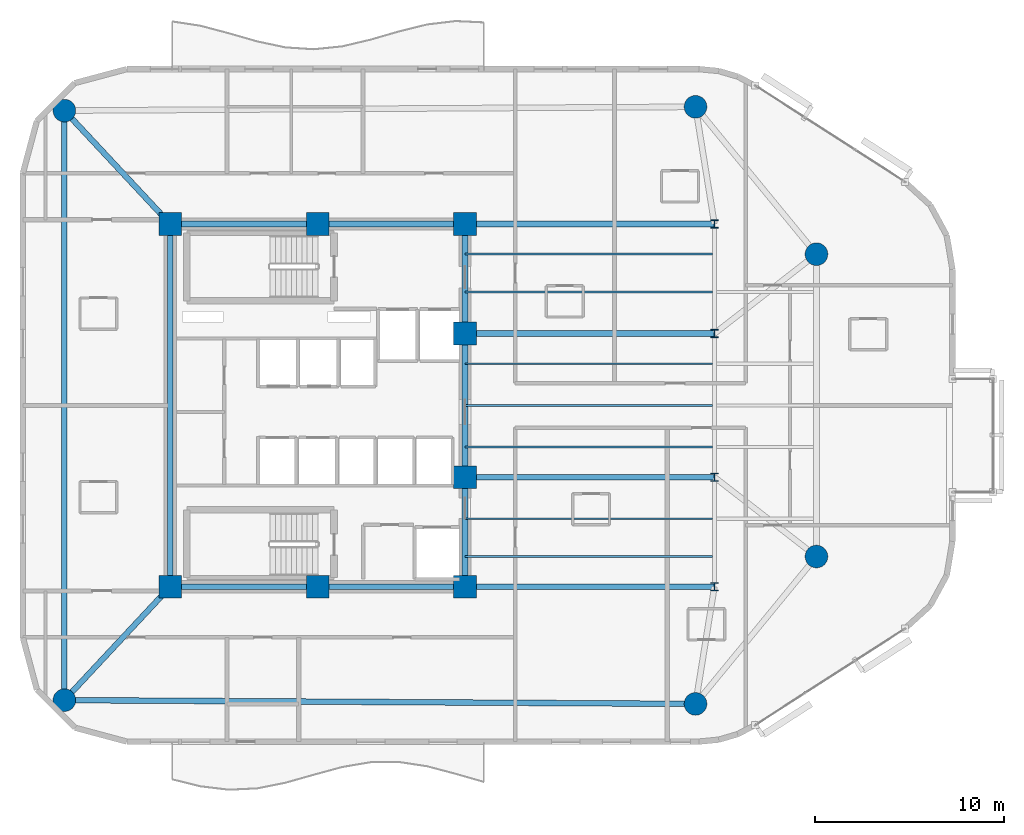
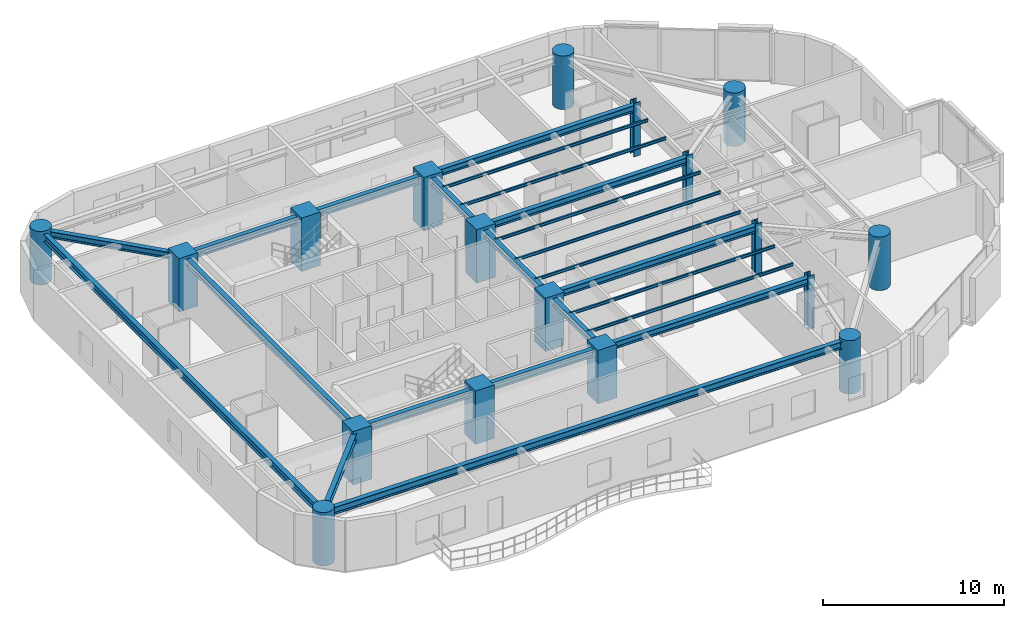
# One storey, part 1 of 16: 21 beams, 18 columns.
"""IFC4 building model written with IfcOpenShell, lengths in metres."""

import ifcopenshell
import ifcopenshell.guid

model = None  # the IFC model being written
_history = None  # IfcOwnerHistory: only IFC2X3 demands one
_inside = {}  # id of a spatial element -> (the spatial element, [elements in it])
_under = {}  # id of a project, library or spatial element -> (it, [spatial elements below it])
_declared = {}  # id of a project -> (the project, [libraries it declares])
_typed = {}  # id of a type object -> (the type object, [elements of that type])
_made_of = {}  # id of a material, layer set ... -> (it, [elements and type objects made of it])


def new_model(schema):
    """Start an empty IFC model of exactly this schema.

    Asked for "IFC4X3", IfcOpenShell would pick the latest addendum, in which some entities
    have other attributes; the version numbers below select the first issue.
    IFC2X3 requires an IfcOwnerHistory on every rooted entity: one is made here for all.
    """
    global model, _history
    if schema == "IFC4X3":
        model = ifcopenshell.file(schema_version=(4, 3, 0, 0))
    else:
        model = ifcopenshell.file(schema=schema)
    _inside.clear()
    _under.clear()
    _declared.clear()
    _typed.clear()
    _made_of.clear()
    _history = None
    if model.schema == "IFC2X3":
        org = make("IfcOrganization", Name="unknown")
        user = make(
            "IfcPersonAndOrganization",
            ThePerson=make("IfcPerson", FamilyName="unknown"),
            TheOrganization=org,
        )
        app = make(
            "IfcApplication",
            ApplicationDeveloper=org,
            Version="unknown",
            ApplicationFullName="unknown",
            ApplicationIdentifier="unknown",
        )
        _history = make(
            "IfcOwnerHistory",
            OwningUser=user,
            OwningApplication=app,
            ChangeAction="ADDED",
            CreationDate=0,
        )
    return model


def make(cls, **values):
    """One entity of the class cls with the attributes given. An attribute that is None is left unset."""
    return model.create_entity(
        cls, **{name: value for name, value in values.items() if value is not None}
    )


def rooted(cls, **values):
    """An entity with a GlobalId (a new one), such as an element, a storey or a relation."""
    return make(cls, GlobalId=ifcopenshell.guid.new(), OwnerHistory=_history, **values)


def si_unit(unit_type, name, prefix=None):
    """IfcSIUnit, for example si_unit("LENGTHUNIT", "METRE", prefix="MILLI")."""
    return make("IfcSIUnit", UnitType=unit_type, Prefix=prefix, Name=name)


def assignment(units):
    """IfcUnitAssignment: the units of a project."""
    return None if units is None else make("IfcUnitAssignment", Units=units)


def point(xyz):
    """IfcCartesianPoint."""
    return None if xyz is None else make("IfcCartesianPoint", Coordinates=xyz)


def direction(xyz):
    """IfcDirection."""
    return None if xyz is None else make("IfcDirection", DirectionRatios=xyz)


def frame(location, z_axis=None, x_axis=None):
    """IfcAxis2Placement3D, a coordinate frame: its origin and axes. An axis left out is left unset."""
    return make(
        "IfcAxis2Placement3D",
        Location=point(location),
        Axis=direction(z_axis),
        RefDirection=direction(x_axis),
    )


def frame_2d(location, x_axis=None):
    """IfcAxis2Placement2D, a coordinate frame in the plane: its origin and x axis."""
    return make(
        "IfcAxis2Placement2D", Location=point(location), RefDirection=direction(x_axis)
    )


def origin():
    """The frame at (0, 0, 0) with its axes left unset."""
    return frame((0.0, 0.0, 0.0))


def origin_2d():
    """The frame at (0, 0) in the plane with its x axis left unset."""
    return frame_2d((0.0, 0.0))


def place(relative_to, where):
    """IfcLocalPlacement: puts the frame where relative to a parent placement (None: the world)."""
    return make(
        "IfcLocalPlacement", PlacementRelTo=relative_to, RelativePlacement=where
    )


def context(
    kind, dimensions, precision=None, world=None, true_north=None, identifier=None
):
    """IfcGeometricRepresentationContext, for example the 3D "Model" context."""
    return make(
        "IfcGeometricRepresentationContext",
        ContextIdentifier=identifier,
        ContextType=kind,
        CoordinateSpaceDimension=dimensions,
        Precision=precision,
        WorldCoordinateSystem=world,
        TrueNorth=true_north,
    )


def subcontext(parent, identifier, kind, view, scale=None):
    """IfcGeometricRepresentationSubContext, for example "Body" below "Model"."""
    return make(
        "IfcGeometricRepresentationSubContext",
        ContextIdentifier=identifier,
        ContextType=kind,
        ParentContext=parent,
        TargetScale=scale,
        TargetView=view,
    )


def project(units=None, contexts=None):
    """IfcProject with its units and contexts."""
    return rooted(
        "IfcProject",
        Name="project",
        RepresentationContexts=contexts,
        UnitsInContext=assignment(units),
    )


def spatial(cls, under=None, at=None, **own):
    """A site, building, storey or space (cls), placed at a placement, below another one or the project."""
    s = rooted(cls, ObjectPlacement=at, **own)
    if under is not None:
        _under.setdefault(under.id(), (under, []))[1].append(s)
    return s


def profile(cls, at=None, kind="AREA", **sizes):
    """A parametric profile (cls). Its sizes go by their IFC names, for example OverallWidth=200.0."""
    return make(cls, ProfileType=kind, Position=at, **sizes)


def rectangle(**sizes):
    """IfcRectangleProfileDef."""
    return profile("IfcRectangleProfileDef", **sizes)


def circle(**sizes):
    """IfcCircleProfileDef."""
    return profile("IfcCircleProfileDef", **sizes)


def i_section(**sizes):
    """IfcIShapeProfileDef."""
    return profile("IfcIShapeProfileDef", **sizes)


def extrude(swept, where, along, depth):
    """IfcExtrudedAreaSolid: the profile swept, set in the frame where, extruded along a direction by depth."""
    return make(
        "IfcExtrudedAreaSolid",
        SweptArea=swept,
        Position=where,
        ExtrudedDirection=direction(along),
        Depth=depth,
    )


def shape(context_of_items, identifier, shape_type, items):
    """IfcShapeRepresentation: the items that make up one representation, for example the "Body"."""
    return make(
        "IfcShapeRepresentation",
        ContextOfItems=context_of_items,
        RepresentationIdentifier=identifier,
        RepresentationType=shape_type,
        Items=items,
    )


def material(Name=None, Category=None):
    """IfcMaterial."""
    return make("IfcMaterial", Name=Name, Category=Category)


def material_profile(
    of_material, cross_section, Name=None, Category=None, Priority=None
):
    """IfcMaterialProfile: a cross section and its material."""
    return make(
        "IfcMaterialProfile",
        Name=Name,
        Material=of_material,
        Profile=cross_section,
        Priority=Priority,
        Category=Category,
    )


def profile_set(profiles, Name=None, composite=None):
    """IfcMaterialProfileSet."""
    return make(
        "IfcMaterialProfileSet",
        Name=Name,
        MaterialProfiles=profiles,
        CompositeProfile=composite,
    )


def made_of(thing, what):
    """Note that an element or type object is made of a material, layer set ...; save() writes the relation."""
    if what is not None:
        _made_of.setdefault(what.id(), (what, []))[1].append(thing)
    return thing


def type_object(cls, material=None, **own):
    """A type object (cls), such as IfcWallType, which elements share."""
    return made_of(rooted(cls, **own), material)


def element(
    cls,
    number,
    at=None,
    inside=None,
    cuts=None,
    type_object=None,
    material=None,
    context=None,
    identifier="Body",
    shape_type=None,
    held_by="IfcProductDefinitionShape",
    body=None,
    shapes=None,
    **own,
):
    """One element of the class cls, such as IfcWall. Its Tag is "e" and its number.

    at: its placement. inside: the storey or other place that contains it. cuts: it is an
    opening in that element (IfcRelVoidsElement). A single representation is given by context,
    identifier, shape_type and body (its items); several are given by shapes. held_by: the class
    of the entity that holds the representations. save() writes the other relations.
    """
    e = rooted(cls, Tag="e%d" % number, ObjectPlacement=at, **own)
    if body is not None:
        shapes = [shape(context, identifier, shape_type, body)]
    if shapes is not None:
        e.Representation = make(held_by, Representations=shapes)
    if inside is not None:
        _inside.setdefault(inside.id(), (inside, []))[1].append(e)
    if cuts is not None:
        rooted(
            "IfcRelVoidsElement", RelatingBuildingElement=cuts, RelatedOpeningElement=e
        )
    if type_object is not None:
        _typed.setdefault(type_object.id(), (type_object, []))[1].append(e)
    return made_of(e, material)


def aggregate(whole, parts):
    """IfcRelAggregates: a whole, such as a stair, and the parts it consists of."""
    return rooted("IfcRelAggregates", RelatingObject=whole, RelatedObjects=parts)


def save(model, path):
    """Write the relations noted so far, then the file.

    IfcRelAggregates (storeys below a building ...), IfcRelContainedInSpatialStructure (elements
    in a storey), IfcRelDefinesByType, IfcRelAssociatesMaterial and IfcRelDeclares: one each for
    every whole, place, type object, material and project.
    """
    for whole, parts in _under.values():
        aggregate(whole, parts)
    for where, things in _inside.values():
        rooted(
            "IfcRelContainedInSpatialStructure",
            RelatedElements=things,
            RelatingStructure=where,
        )
    for kind, things in _typed.values():
        rooted("IfcRelDefinesByType", RelatedObjects=things, RelatingType=kind)
    for what, things in _made_of.values():
        rooted("IfcRelAssociatesMaterial", RelatedObjects=things, RelatingMaterial=what)
    for by, libraries in _declared.values():
        rooted("IfcRelDeclares", RelatingContext=by, RelatedDefinitions=libraries)
    model.write(path)


model = new_model("IFC4")

# Units and contexts
model_context = context("Model", 3, precision=1e-05, world=origin(), true_north=direction((0.0, 1.0)))
body_context = subcontext(model_context, "Body", "Model", "MODEL_VIEW")
ifc_project = project(units=[si_unit("LENGTHUNIT", "METRE"), si_unit("AREAUNIT", "SQUARE_METRE"), si_unit("VOLUMEUNIT", "CUBIC_METRE"), si_unit("PLANEANGLEUNIT", "RADIAN"), si_unit("MASSUNIT", "GRAM", prefix="KILO")], contexts=[model_context])

# Site, building, storey
site_placement = place(None, origin())
site = spatial("IfcSite", under=ifc_project, at=site_placement, CompositionType="ELEMENT")
building_placement = place(site_placement, origin())
building = spatial("IfcBuilding", under=site, at=building_placement, Name="An Khanh Terracotta Commons", CompositionType="ELEMENT")
storey_placement = place(building_placement, frame((0.0, 0.0, 151.0)))
storey = spatial("IfcBuildingStorey", under=building, at=storey_placement, Name="L39", CompositionType="ELEMENT", Elevation=151.0)

# Columns
ifc_material_1 = material(Name="Concrete C60/75", Category="concrete")
ifc_material_profile_1 = material_profile(ifc_material_1, circle(Radius=0.60009765625, at=origin_2d()), Name="CFST1200")
ifc_profile_set_1 = profile_set([ifc_material_profile_1], Name="Concrete C60/75")
column_type_1 = type_object("IfcColumnType", Name="COL-CFST1200", PredefinedType="COLUMN", material=ifc_profile_set_1)
for number, where, z_axis, x_axis, name in (
    (1, (16.0, 8.39990234375, 0.0), (0.0, 0.0, 1.0), (1.0, 0.0, 0.0), "L39 Perimeter CFST Mega-Column MC-01"),
    (2, (49.39990234375, 8.199951171875, 0.0), (0.0, 0.0, 1.0), (1.0, 0.0, 0.0), "L39 Perimeter CFST Mega-Column MC-02"),
    (3, (55.800048828125, 16.0, 0.0), (0.0, 0.0, 1.0), (1.0, 0.0, 0.0), "L39 Perimeter CFST Mega-Column MC-03"),
    (4, (55.800048828125, 32.0, 0.0), (0.0, 0.0, 1.0), (1.0, 0.0, 0.0), "L39 Perimeter CFST Mega-Column MC-04"),
    (5, (49.39990234375, 39.800048828125, 0.0), (0.0, 0.0, 1.0), (1.0, 0.0, 0.0), "L39 Perimeter CFST Mega-Column MC-05"),
    (6, (16.0, 39.60009765625, 0.0), (0.0, 0.0, 1.0), (1.0, 0.0, 0.0), "L39 Perimeter CFST Mega-Column MC-06"),
):
    element("IfcColumn", number, at=place(storey_placement, frame(where, z_axis=z_axis, x_axis=x_axis)), inside=storey, type_object=column_type_1, Name=name, PredefinedType="COLUMN", context=body_context, shape_type="SweptSolid", body=[
        extrude(circle(Radius=0.60009765625, at=origin_2d()), origin(), (0.0, 0.0, 1.0), 3.60009765625),
    ])
ifc_material_2 = material(Name="Steel S460ML", Category="steel")
ifc_material_profile_2 = material_profile(ifc_material_2, i_section(OverallWidth=0.406005859375, OverallDepth=0.43994140625, WebThickness=0.02392578125, FlangeThickness=0.0390625, FilletRadius=0.014892578125, at=origin_2d()), Name="HD400x314")
ifc_profile_set_2 = profile_set([ifc_material_profile_2], Name="Steel S460ML")
column_type_2 = type_object("IfcColumnType", Name="COL-HD400x314", PredefinedType="COLUMN", material=ifc_profile_set_2)
for number, where, z_axis, x_axis, name in (
    (7, (50.39990234375, 14.39990234375, 0.0), (0.0, 0.0, 1.0), (1.0, 0.0, 0.0), "L39 Interior Frame Column TC-01"),
    (8, (50.39990234375, 20.199951171875, 0.0), (0.0, 0.0, 1.0), (1.0, 0.0, 0.0), "L39 Interior Frame Column TC-02"),
    (9, (50.39990234375, 27.800048828125, 0.0), (0.0, 0.0, 1.0), (1.0, 0.0, 0.0), "L39 Interior Frame Column TC-03"),
    (10, (50.39990234375, 33.60009765625, 0.0), (0.0, 0.0, 1.0), (1.0, 0.0, 0.0), "L39 Interior Frame Column TC-04"),
):
    element("IfcColumn", number, at=place(storey_placement, frame(where, z_axis=z_axis, x_axis=x_axis)), inside=storey, type_object=column_type_2, Name=name, PredefinedType="COLUMN", context=body_context, shape_type="SweptSolid", body=[
        extrude(i_section(OverallWidth=0.406005859375, OverallDepth=0.43994140625, WebThickness=0.02392578125, FlangeThickness=0.0390625, FilletRadius=0.014892578125, at=origin_2d()), origin(), (0.0, 0.0, 1.0), 3.60009765625),
    ])
ifc_material_profile_3 = material_profile(ifc_material_1, rectangle(XDim=1.199951171875, YDim=1.199951171875, at=origin_2d()), Name="RC1200x1200")
ifc_profile_set_3 = profile_set([ifc_material_profile_3], Name="Concrete C60/75")
column_type_3 = type_object("IfcColumnType", Name="COL-RC1200x1200", PredefinedType="COLUMN", material=ifc_profile_set_3)
for number, where, z_axis, x_axis, name in (
    (11, (21.60009765625, 14.39990234375, 0.0), (0.0, 0.0, 1.0), (1.0, 0.0, 0.0), "L39 Core Boundary Column CC-01"),
    (12, (29.39990234375, 14.39990234375, 0.0), (0.0, 0.0, 1.0), (1.0, 0.0, 0.0), "L39 Core Boundary Column CC-02"),
    (13, (37.199951171875, 14.39990234375, 0.0), (0.0, 0.0, 1.0), (1.0, 0.0, 0.0), "L39 Core Boundary Column CC-03"),
    (14, (37.199951171875, 20.199951171875, 0.0), (0.0, 0.0, 1.0), (1.0, 0.0, 0.0), "L39 Core Boundary Column CC-04"),
    (15, (37.199951171875, 27.800048828125, 0.0), (0.0, 0.0, 1.0), (1.0, 0.0, 0.0), "L39 Core Boundary Column CC-05"),
    (16, (37.199951171875, 33.60009765625, 0.0), (0.0, 0.0, 1.0), (1.0, 0.0, 0.0), "L39 Core Boundary Column CC-06"),
    (17, (29.39990234375, 33.60009765625, 0.0), (0.0, 0.0, 1.0), (1.0, 0.0, 0.0), "L39 Core Boundary Column CC-07"),
    (18, (21.60009765625, 33.60009765625, 0.0), (0.0, 0.0, 1.0), (1.0, 0.0, 0.0), "L39 Core Boundary Column CC-08"),
):
    element("IfcColumn", number, at=place(storey_placement, frame(where, z_axis=z_axis, x_axis=x_axis)), inside=storey, type_object=column_type_3, Name=name, PredefinedType="COLUMN", context=body_context, shape_type="SweptSolid", body=[
        extrude(rectangle(XDim=1.199951171875, YDim=1.199951171875, at=origin_2d()), origin(), (0.0, 0.0, 1.0), 3.60009765625),
    ])

# Beams
ifc_material_3 = material(Name="Steel S355J2", Category="steel")
ifc_material_profile_4 = material_profile(ifc_material_3, i_section(OverallWidth=0.300048828125, OverallDepth=0.449951171875, WebThickness=0.013916015625, FlangeThickness=0.02587890625, FilletRadius=0.027099609375, at=origin_2d()), Name="HEB450")
ifc_profile_set_4 = profile_set([ifc_material_profile_4], Name="Steel S355J2")
beam_type_1 = type_object("IfcBeamType", Name="BM-HEB450", PredefinedType="BEAM", material=ifc_profile_set_4)
beam_1_placement = place(storey_placement, frame((37.199951171875, 14.39990234375, 3.175048828125), z_axis=(0.0, 1.0, 0.0), x_axis=(-1.0, 0.0, 0.0)))
element("IfcBeam", 19, at=beam_1_placement, inside=storey, type_object=beam_type_1, Name="L39 Core East Coupling Girder 1", PredefinedType="BEAM", context=body_context, shape_type="SweptSolid", body=[
    extrude(i_section(OverallWidth=0.300048828125, OverallDepth=0.449951171875, WebThickness=0.013916015625, FlangeThickness=0.02587890625, FilletRadius=0.027099609375, at=origin_2d()), origin(), (0.0, 0.0, 1.0), 5.800048828125),
])
beam_2_placement = place(storey_placement, frame((37.199951171875, 20.199951171875, 3.175048828125), z_axis=(0.0, 1.0, 0.0), x_axis=(-1.0, 0.0, 0.0)))
element("IfcBeam", 20, at=beam_2_placement, inside=storey, type_object=beam_type_1, Name="L39 Core East Coupling Girder 2", PredefinedType="BEAM", context=body_context, shape_type="SweptSolid", body=[
    extrude(i_section(OverallWidth=0.300048828125, OverallDepth=0.449951171875, WebThickness=0.013916015625, FlangeThickness=0.02587890625, FilletRadius=0.027099609375, at=origin_2d()), origin(), (0.0, 0.0, 1.0), 7.60009765625),
])
beam_3_placement = place(storey_placement, frame((37.199951171875, 27.800048828125, 3.175048828125), z_axis=(0.0, 1.0, 0.0), x_axis=(-1.0, 0.0, 0.0)))
element("IfcBeam", 21, at=beam_3_placement, inside=storey, type_object=beam_type_1, Name="L39 Core East Coupling Girder 3", PredefinedType="BEAM", context=body_context, shape_type="SweptSolid", body=[
    extrude(i_section(OverallWidth=0.300048828125, OverallDepth=0.449951171875, WebThickness=0.013916015625, FlangeThickness=0.02587890625, FilletRadius=0.027099609375, at=origin_2d()), origin(), (0.0, 0.0, 1.0), 5.800048828125),
])
beam_4_placement = place(storey_placement, frame((21.60009765625, 14.39990234375, 3.175048828125), z_axis=(0.0, 1.0, 0.0), x_axis=(-1.0, 0.0, 0.0)))
element("IfcBeam", 22, at=beam_4_placement, inside=storey, type_object=beam_type_1, Name="L39 Core West Coupling Girder", PredefinedType="BEAM", context=body_context, shape_type="SweptSolid", body=[
    extrude(i_section(OverallWidth=0.300048828125, OverallDepth=0.449951171875, WebThickness=0.013916015625, FlangeThickness=0.02587890625, FilletRadius=0.027099609375, at=origin_2d()), origin(), (0.0, 0.0, 1.0), 19.2001953125),
])
for number, where, z_axis, x_axis, name in (
    (23, (37.199951171875, 14.39990234375, 3.175048828125), (1.0, 0.0, 0.0), (0.0, 1.0, 0.0), "L39 East Primary Floor Girder 1"),
    (24, (37.199951171875, 20.199951171875, 3.175048828125), (1.0, 0.0, 0.0), (0.0, 1.0, 0.0), "L39 East Primary Floor Girder 2"),
    (25, (37.199951171875, 27.800048828125, 3.175048828125), (1.0, 0.0, 0.0), (0.0, 1.0, 0.0), "L39 East Primary Floor Girder 3"),
    (26, (37.199951171875, 33.60009765625, 3.175048828125), (1.0, 0.0, 0.0), (0.0, 1.0, 0.0), "L39 East Primary Floor Girder 4"),
):
    element("IfcBeam", number, at=place(storey_placement, frame(where, z_axis=z_axis, x_axis=x_axis)), inside=storey, type_object=beam_type_1, Name=name, PredefinedType="BEAM", context=body_context, shape_type="SweptSolid", body=[
        extrude(i_section(OverallWidth=0.300048828125, OverallDepth=0.449951171875, WebThickness=0.013916015625, FlangeThickness=0.02587890625, FilletRadius=0.027099609375, at=origin_2d()), origin(), (0.0, 0.0, 1.0), 13.199951171875),
    ])
for number, where, z_axis, x_axis, name in (
    (27, (16.0, 8.39990234375, 3.175048828125), (0.682324609438, 0.731049333052, 0.0), (-0.731049333052, 0.682324609438, 0.0), "L39 Mega-Column Tie Girder 1"),
    (28, (16.0, 39.60009765625, 3.175048828125), (0.682324609438, -0.731049333052, 0.0), (0.731049333052, 0.682324609438, 0.0), "L39 Mega-Column Tie Girder 6"),
):
    element("IfcBeam", number, at=place(storey_placement, frame(where, z_axis=z_axis, x_axis=x_axis)), inside=storey, type_object=beam_type_1, Name=name, PredefinedType="BEAM", context=body_context, shape_type="SweptSolid", body=[
        extrude(i_section(OverallWidth=0.300048828125, OverallDepth=0.449951171875, WebThickness=0.013916015625, FlangeThickness=0.02587890625, FilletRadius=0.027099609375, at=origin_2d()), origin(), (0.0, 0.0, 1.0), 8.207275390625),
    ])
ifc_material_profile_5 = material_profile(ifc_material_3, i_section(OverallWidth=0.300048828125, OverallDepth=0.5, WebThickness=0.014404296875, FlangeThickness=0.028076171875, FilletRadius=0.027099609375, at=origin_2d()), Name="HEB500")
ifc_profile_set_5 = profile_set([ifc_material_profile_5], Name="Steel S355J2")
beam_type_2 = type_object("IfcBeamType", Name="BM-HEB500", PredefinedType="BEAM", material=ifc_profile_set_5)
for number, where, z_axis, x_axis, name in (
    (29, (21.60009765625, 14.39990234375, 3.14990234375), (1.0, 0.0, 0.0), (0.0, 1.0, 0.0), "L39 Core South Coupling Girder"),
    (30, (21.60009765625, 33.60009765625, 3.14990234375), (1.0, 0.0, 0.0), (0.0, 1.0, 0.0), "L39 Core North Coupling Girder"),
):
    element("IfcBeam", number, at=place(storey_placement, frame(where, z_axis=z_axis, x_axis=x_axis)), inside=storey, type_object=beam_type_2, Name=name, PredefinedType="BEAM", context=body_context, shape_type="SweptSolid", body=[
        extrude(i_section(OverallWidth=0.300048828125, OverallDepth=0.5, WebThickness=0.014404296875, FlangeThickness=0.028076171875, FilletRadius=0.027099609375, at=origin_2d()), origin(), (0.0, 0.0, 1.0), 15.599853515625),
    ])
beam_5_placement = place(storey_placement, frame((16.0, 8.39990234375, 3.14990234375), z_axis=(0.999982080914, -0.005986472262, 0.0), x_axis=(0.005986472262, 0.999982080914, 0.0)))
element("IfcBeam", 31, at=beam_5_placement, inside=storey, type_object=beam_type_2, Name="L39 Perimeter Ring Spandrel 1", PredefinedType="BEAM", context=body_context, shape_type="SweptSolid", body=[
    extrude(i_section(OverallWidth=0.300048828125, OverallDepth=0.5, WebThickness=0.014404296875, FlangeThickness=0.028076171875, FilletRadius=0.027099609375, at=origin_2d()), origin(), (0.0, 0.0, 1.0), 33.400390625),
])
beam_6_placement = place(storey_placement, frame((16.0, 39.60009765625, 3.14990234375), z_axis=(0.0, -1.0, 0.0), x_axis=(1.0, 0.0, 0.0)))
element("IfcBeam", 32, at=beam_6_placement, inside=storey, type_object=beam_type_2, Name="L39 Perimeter Ring Spandrel 6", PredefinedType="BEAM", context=body_context, shape_type="SweptSolid", body=[
    extrude(i_section(OverallWidth=0.300048828125, OverallDepth=0.5, WebThickness=0.014404296875, FlangeThickness=0.028076171875, FilletRadius=0.027099609375, at=origin_2d()), origin(), (0.0, 0.0, 1.0), 31.2001953125),
])
ifc_material_profile_6 = material_profile(ifc_material_3, i_section(OverallWidth=0.10009765625, OverallDepth=0.199951171875, WebThickness=0.005615234375, FlangeThickness=0.008544921875, FilletRadius=0.011962890625, at=origin_2d()), Name="IPE200")
ifc_profile_set_6 = profile_set([ifc_material_profile_6], Name="Steel S355J2")
beam_type_3 = type_object("IfcBeamType", Name="BM-IPE200", PredefinedType="JOIST", material=ifc_profile_set_6)
for number, where, z_axis, x_axis, name in (
    (33, (37.199951171875, 16.0, 3.300048828125), (1.0, 0.0, 0.0), (0.0, 1.0, 0.0), "L39 Inboard Composite Joist 1"),
    (34, (37.199951171875, 18.0, 3.300048828125), (1.0, 0.0, 0.0), (0.0, 1.0, 0.0), "L39 Inboard Composite Joist 2"),
    (35, (37.199951171875, 21.800048828125, 3.300048828125), (1.0, 0.0, 0.0), (0.0, 1.0, 0.0), "L39 Inboard Composite Joist 3"),
    (36, (37.199951171875, 24.0, 3.300048828125), (1.0, 0.0, 0.0), (0.0, 1.0, 0.0), "L39 Inboard Composite Joist 4"),
    (37, (37.199951171875, 26.199951171875, 3.300048828125), (1.0, 0.0, 0.0), (0.0, 1.0, 0.0), "L39 Inboard Composite Joist 5"),
    (38, (37.199951171875, 30.0, 3.300048828125), (1.0, 0.0, 0.0), (0.0, 1.0, 0.0), "L39 Inboard Composite Joist 6"),
    (39, (37.199951171875, 32.0, 3.300048828125), (1.0, 0.0, 0.0), (0.0, 1.0, 0.0), "L39 Inboard Composite Joist 7"),
):
    element("IfcBeam", number, at=place(storey_placement, frame(where, z_axis=z_axis, x_axis=x_axis)), inside=storey, type_object=beam_type_3, Name=name, PredefinedType="JOIST", context=body_context, shape_type="SweptSolid", body=[
        extrude(i_section(OverallWidth=0.10009765625, OverallDepth=0.199951171875, WebThickness=0.005615234375, FlangeThickness=0.008544921875, FilletRadius=0.011962890625, at=origin_2d()), origin(), (0.0, 0.0, 1.0), 13.10009765625),
    ])

save(model, "model.ifc")
